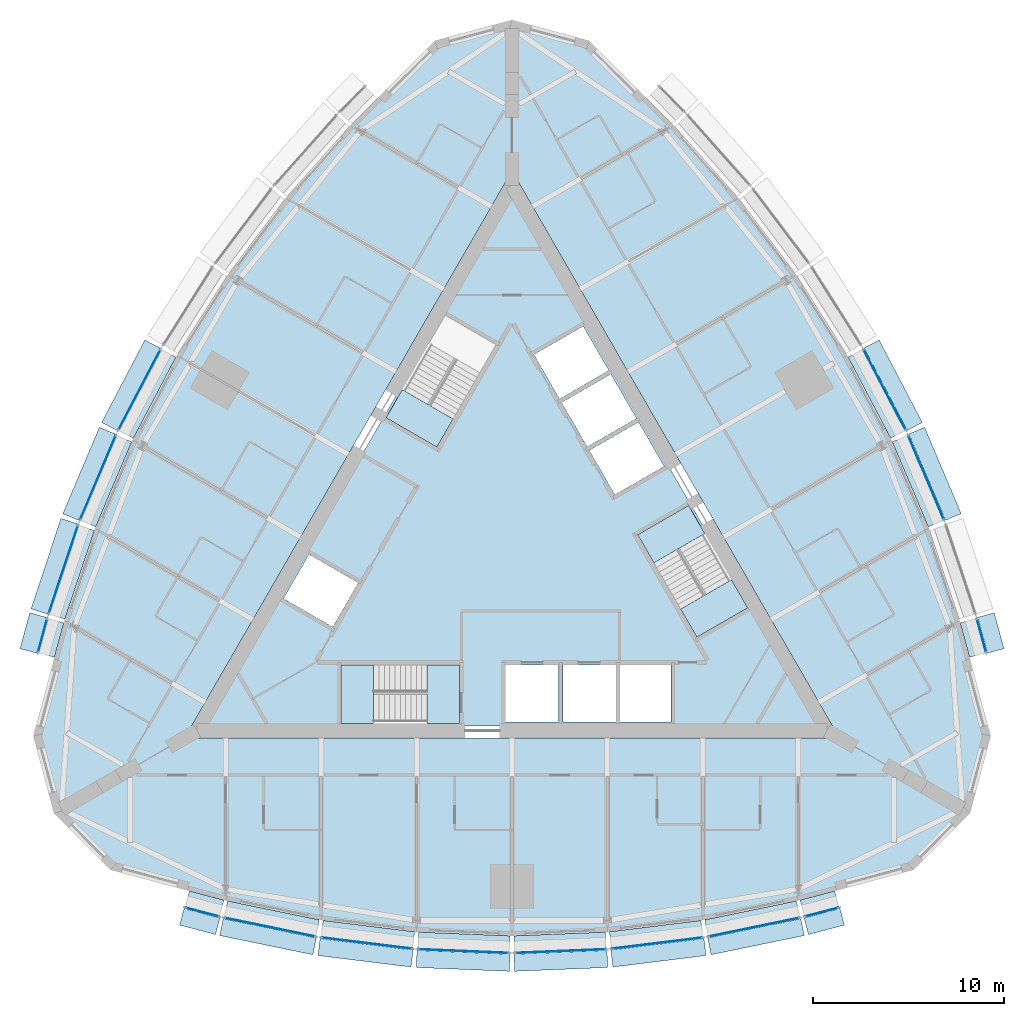
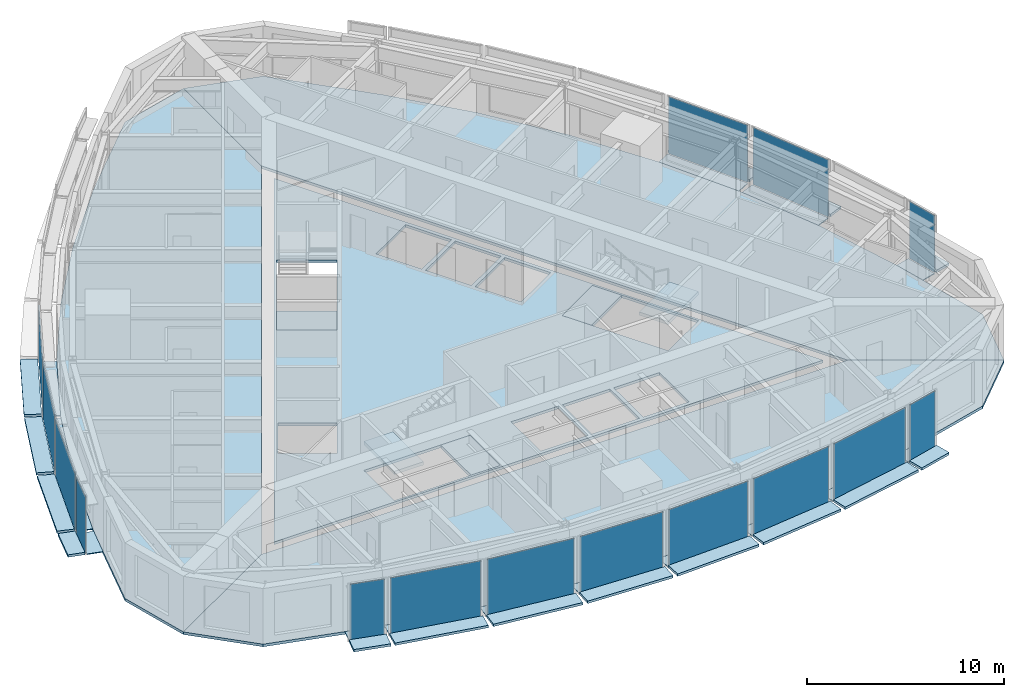
# One storey, part 7 of 15: 45 plates, 9 slabs, 18 elements without a shape of their own.
"""IFC4 building model written with IfcOpenShell, lengths in metres."""

from ifc_helpers import new_model, si_unit, direction, frame, origin, origin_2d, place, context, subcontext, project, spatial, polyline, rectangle, outline, extrude, material, layer, layer_set, type_object, element, aggregate, save


model = new_model("IFC4")

# Units and contexts
model_context = context("Model", 3, precision=1e-05, world=origin(), true_north=direction((0.0, 1.0)))
body_context = subcontext(model_context, "Body", "Model", "MODEL_VIEW")
ifc_project = project(units=[si_unit("LENGTHUNIT", "METRE"), si_unit("AREAUNIT", "SQUARE_METRE"), si_unit("VOLUMEUNIT", "CUBIC_METRE"), si_unit("PLANEANGLEUNIT", "RADIAN"), si_unit("MASSUNIT", "GRAM", prefix="KILO")], contexts=[model_context])

# Site, building, storey
site_placement = place(None, origin())
site = spatial("IfcSite", under=ifc_project, at=site_placement, CompositionType="ELEMENT")
building_placement = place(site_placement, origin())
building = spatial("IfcBuilding", under=site, at=building_placement, Name="Trikona Tower", CompositionType="ELEMENT")
storey_placement = place(building_placement, frame((0.0, 0.0, 215.300048828125)))
storey = spatial("IfcBuildingStorey", under=building, at=storey_placement, Name="L57", CompositionType="ELEMENT", Elevation=215.300048828125)

# Plates
ifc_material_1 = material(Name="Aluminium bar grating", Category="aluminium")
ifc_layer_1 = layer(ifc_material_1, 0.050048828125)
ifc_layer_set_1 = layer_set([ifc_layer_1], Name="Cavity catwalk grating")
plate_type_1 = type_object("IfcPlateType", Name="Cavity catwalk grating", PredefinedType="USERDEFINED", material=ifc_layer_set_1)
plate_1_placement = place(storey_placement, frame((-16.10693359375, -18.5673828125, -0.05029296875), z_axis=(0.0, 0.0, 1.0), x_axis=(0.966993038714, -0.254802792527, 0.0)))
element("IfcPlate", 1, at=plate_1_placement, inside=storey, type_object=plate_type_1, Name="Cavity catwalk L57-00", ObjectType="CATWALK GRATING", PredefinedType="USERDEFINED", context=body_context, shape_type="SweptSolid", body=[
    extrude(rectangle(XDim=1.868408203125, YDim=0.840087890625, at=origin_2d()), origin(), (0.0, 0.0, 1.0), 0.050048828125),
])
plate_2_placement = place(storey_placement, frame((-12.584716796875, -19.35107421875, -0.05029296875), z_axis=(0.0, 0.0, 1.0), x_axis=(0.979457514864, -0.201650629992, 0.0)))
element("IfcPlate", 2, at=plate_2_placement, inside=storey, type_object=plate_type_1, Name="Cavity catwalk L57-01", ObjectType="CATWALK GRATING", PredefinedType="USERDEFINED", context=body_context, shape_type="SweptSolid", body=[
    extrude(rectangle(XDim=4.90478515625, YDim=0.840087890625, at=origin_2d()), origin(), (0.0, 0.0, 1.0), 0.050048828125),
])
plate_3_placement = place(storey_placement, frame((-7.551513671875, -20.179931640625, -0.05029296875), z_axis=(0.0, 0.0, 1.0), x_axis=(0.992455266199, -0.122607277901, 0.0)))
element("IfcPlate", 3, at=plate_3_placement, inside=storey, type_object=plate_type_1, Name="Cavity catwalk L57-02", ObjectType="CATWALK GRATING", PredefinedType="USERDEFINED", context=body_context, shape_type="SweptSolid", body=[
    extrude(rectangle(XDim=4.837890625, YDim=0.840087890625, at=origin_2d()), origin(), (0.0, 0.0, 1.0), 0.050048828125),
])
for number, where, z_axis, x_axis, name in (
    (4, (-2.517333984375, -20.594482421875, -0.05029296875), (0.0, 0.0, 1.0), (0.999153186307, -0.041144991109, 0.0), "Cavity catwalk L57-03"),
    (5, (2.517333984375, -20.594482421875, -0.05029296875), (0.0, 0.0, 1.0), (0.999153186307, 0.041144991109, 0.0), "Cavity catwalk L57-04"),
):
    element("IfcPlate", number, at=place(storey_placement, frame(where, z_axis=z_axis, x_axis=x_axis)), inside=storey, type_object=plate_type_1, Name=name, ObjectType="CATWALK GRATING", PredefinedType="USERDEFINED", context=body_context, shape_type="SweptSolid", body=[
        extrude(rectangle(XDim=4.80419921875, YDim=0.840087890625, at=origin_2d()), origin(), (0.0, 0.0, 1.0), 0.050048828125),
    ])
plate_4_placement = place(storey_placement, frame((7.551513671875, -20.179931640625, -0.05029296875), z_axis=(0.0, 0.0, 1.0), x_axis=(0.992455266199, 0.122607277901, 0.0)))
element("IfcPlate", 6, at=plate_4_placement, inside=storey, type_object=plate_type_1, Name="Cavity catwalk L57-05", ObjectType="CATWALK GRATING", PredefinedType="USERDEFINED", context=body_context, shape_type="SweptSolid", body=[
    extrude(rectangle(XDim=4.837890625, YDim=0.840087890625, at=origin_2d()), origin(), (0.0, 0.0, 1.0), 0.050048828125),
])
plate_5_placement = place(storey_placement, frame((12.584716796875, -19.35107421875, -0.05029296875), z_axis=(0.0, 0.0, 1.0), x_axis=(0.979457514864, 0.201650629992, 0.0)))
element("IfcPlate", 7, at=plate_5_placement, inside=storey, type_object=plate_type_1, Name="Cavity catwalk L57-06", ObjectType="CATWALK GRATING", PredefinedType="USERDEFINED", context=body_context, shape_type="SweptSolid", body=[
    extrude(rectangle(XDim=4.90478515625, YDim=0.840087890625, at=origin_2d()), origin(), (0.0, 0.0, 1.0), 0.050048828125),
])
for number, where, z_axis, x_axis, name in (
    (8, (16.10693359375, -18.5673828125, -0.05029296875), (0.0, 0.0, 1.0), (0.966993038714, 0.254802792527, 0.0), "Cavity catwalk L57-07"),
    (9, (24.13330078125, -4.665283203125, -0.05029296875), (0.0, 0.0, 1.0), (-0.262822408229, 0.964844226667, 0.0), "Cavity catwalk L57-12"),
):
    element("IfcPlate", number, at=place(storey_placement, frame(where, z_axis=z_axis, x_axis=x_axis)), inside=storey, type_object=plate_type_1, Name=name, ObjectType="CATWALK GRATING", PredefinedType="USERDEFINED", context=body_context, shape_type="SweptSolid", body=[
        extrude(rectangle(XDim=1.868408203125, YDim=0.840087890625, at=origin_2d()), origin(), (0.0, 0.0, 1.0), 0.050048828125),
    ])
plate_6_placement = place(storey_placement, frame((21.252197265625, 3.55029296875, -0.05029296875), z_axis=(0.0, 0.0, 1.0), x_axis=(-0.390051437015, 0.920793069306, 0.0)))
element("IfcPlate", 10, at=plate_6_placement, inside=storey, type_object=plate_type_1, Name="Cavity catwalk L57-14", ObjectType="CATWALK GRATING", PredefinedType="USERDEFINED", context=body_context, shape_type="SweptSolid", body=[
    extrude(rectangle(XDim=4.837890625, YDim=0.840087890625, at=origin_2d()), origin(), (0.0, 0.0, 1.0), 0.050048828125),
])
for number, where, z_axis, x_axis, name in (
    (11, (19.093994140625, 8.1171875, -0.05029296875), (0.0, 0.0, 1.0), (-0.463951716224, 0.885860488459, 0.0), "Cavity catwalk L57-15"),
    (12, (-19.093994140625, 8.1171875, -0.05029296875), (0.0, 0.0, 1.0), (-0.463951716224, -0.885860488459, 0.0), "Cavity catwalk L57-28"),
):
    element("IfcPlate", number, at=place(storey_placement, frame(where, z_axis=z_axis, x_axis=x_axis)), inside=storey, type_object=plate_type_1, Name=name, ObjectType="CATWALK GRATING", PredefinedType="USERDEFINED", context=body_context, shape_type="SweptSolid", body=[
        extrude(rectangle(XDim=4.80419921875, YDim=0.840087890625, at=origin_2d()), origin(), (0.0, 0.0, 1.0), 0.050048828125),
    ])
plate_7_placement = place(storey_placement, frame((-21.252197265625, 3.55029296875, -0.05029296875), z_axis=(0.0, 0.0, 1.0), x_axis=(-0.390051437015, -0.920793069306, 0.0)))
element("IfcPlate", 13, at=plate_7_placement, inside=storey, type_object=plate_type_1, Name="Cavity catwalk L57-29", ObjectType="CATWALK GRATING", PredefinedType="USERDEFINED", context=body_context, shape_type="SweptSolid", body=[
    extrude(rectangle(XDim=4.837890625, YDim=0.840087890625, at=origin_2d()), origin(), (0.0, 0.0, 1.0), 0.050048828125),
])
plate_8_placement = place(storey_placement, frame((-23.05078125, -1.22314453125, -0.05029296875), z_axis=(0.0, 0.0, 1.0), x_axis=(-0.315092532747, -0.949060954737, 0.0)))
element("IfcPlate", 14, at=plate_8_placement, inside=storey, type_object=plate_type_1, Name="Cavity catwalk L57-30", ObjectType="CATWALK GRATING", PredefinedType="USERDEFINED", context=body_context, shape_type="SweptSolid", body=[
    extrude(rectangle(XDim=4.90478515625, YDim=0.840087890625, at=origin_2d()), origin(), (0.0, 0.0, 1.0), 0.050048828125),
])
plate_9_placement = place(storey_placement, frame((-24.13330078125, -4.665283203125, -0.05029296875), z_axis=(0.0, 0.0, 1.0), x_axis=(-0.262822408229, -0.964844226667, 0.0)))
element("IfcPlate", 15, at=plate_9_placement, inside=storey, type_object=plate_type_1, Name="Cavity catwalk L57-31", ObjectType="CATWALK GRATING", PredefinedType="USERDEFINED", context=body_context, shape_type="SweptSolid", body=[
    extrude(rectangle(XDim=1.868408203125, YDim=0.840087890625, at=origin_2d()), origin(), (0.0, 0.0, 1.0), 0.050048828125),
])

# Slabs
ifc_material_2 = material(Name="Concrete f'c 5000 psi lightweight on composite steel deck", Category="concrete")
ifc_layer_2 = layer(ifc_material_2, 0.1650390625)
ifc_layer_set_2 = layer_set([ifc_layer_2], Name="Composite floor slab 165")
slab_type_1 = type_object("IfcSlabType", Name="Composite floor slab 165", PredefinedType="FLOOR", material=ifc_layer_set_2)
slab_1_placement = place(storey_placement, frame((0.0, 0.0, -0.1650390625)))
element("IfcSlab", 16, at=slab_1_placement, inside=storey, type_object=slab_type_1, Name="Floor slab L57 core", PredefinedType="FLOOR", context=body_context, shape_type="SweptSolid", body=[
    extrude(outline(polyline([(-16.06689453125, -9.2763671875), (16.06689453125, -9.2763671875), (0.0, 18.552490234375), (-16.06689453125, -9.2763671875)]), holes=[polyline([(6.587158203125, 0.7431640625), (9.687255859375, -4.626220703125), (12.35009765625, -3.088623046875), (9.250244140625, 2.28076171875), (6.587158203125, 0.7431640625)]), polyline([(5.659912109375, -6.086181640625), (5.659912109375, -9.06640625), (8.340087890625, -9.06640625), (8.340087890625, -6.086181640625), (5.659912109375, -6.086181640625)]), polyline([(6.631591796875, 6.646240234375), (4.05078125, 5.15625), (5.390869140625, 2.835205078125), (7.9716796875, 4.3251953125), (6.631591796875, 6.646240234375)]), polyline([(6.521484375, 6.8369140625), (5.181640625, 9.15771484375), (2.600830078125, 7.667724609375), (3.94091796875, 5.3466796875), (6.521484375, 6.8369140625)]), polyline([(2.659912109375, -9.06640625), (5.43994140625, -9.06640625), (5.43994140625, -6.086181640625), (2.659912109375, -6.086181640625), (2.659912109375, -9.06640625)]), polyline([(2.490966796875, 7.858154296875), (5.071533203125, 9.34814453125), (3.731689453125, 11.669189453125), (1.15087890625, 10.17919921875), (2.490966796875, 7.858154296875)]), polyline([(2.43994140625, -9.06640625), (2.43994140625, -6.086181640625), (-0.340087890625, -6.086181640625), (-0.340087890625, -9.06640625), (2.43994140625, -9.06640625)]), polyline([(-3.937255859375, 5.3330078125), (-0.837158203125, 10.702392578125), (-3.500244140625, 12.239990234375), (-6.60009765625, 6.87060546875), (-3.937255859375, 5.3330078125)]), polyline([(-2.75, -6.076416015625), (-8.949951171875, -6.076416015625), (-8.949951171875, -9.1513671875), (-2.75, -9.1513671875), (-2.75, -6.076416015625)]), polyline([(-11.9716796875, -2.602783203125), (-9.390869140625, -4.093017578125), (-8.05078125, -1.77197265625), (-10.631591796875, -0.281982421875), (-11.9716796875, -2.602783203125)])]), origin(), (0.0, 0.0, 1.0), 0.1650390625),
])
slab_2_placement = place(storey_placement, frame((0.0, 0.0, -0.1650390625)))
element("IfcSlab", 17, at=slab_2_placement, inside=storey, type_object=slab_type_1, Name="Floor slab L57 south", PredefinedType="FLOOR", context=body_context, shape_type="SweptSolid", body=[
    extrude(outline(polyline([(21.04150390625, -16.81494140625), (24.0, -13.8564453125), (17.1494140625, -9.9013671875), (-17.1494140625, -9.9013671875), (-24.0, -13.8564453125), (-21.04150390625, -16.81494140625), (-17.0, -17.89794921875), (-15.0, -18.4248046875), (-10.0, -19.454345703125), (-5.0, -20.072021484375), (0.0, -20.27783203125), (5.0, -20.072021484375), (10.0, -19.454345703125), (15.0, -18.4248046875), (17.0, -17.89794921875), (21.04150390625, -16.81494140625)])), origin(), (0.0, 0.0, 1.0), 0.1650390625),
])
slab_3_placement = place(storey_placement, frame((0.0, 0.0, -0.1650390625)))
element("IfcSlab", 18, at=slab_3_placement, inside=storey, type_object=slab_type_1, Name="Floor slab L57 north-east", PredefinedType="FLOOR", context=body_context, shape_type="SweptSolid", body=[
    extrude(outline(polyline([(4.04150390625, 26.6298828125), (0.0, 27.712890625), (0.0, 19.802490234375), (17.1494140625, -9.9013671875), (24.0, -13.8564453125), (25.0830078125, -9.81494140625), (24.0, -5.7734375), (23.456298828125, -3.77783203125), (21.847900390625, 1.06689453125), (19.8828125, 5.705810546875), (17.56103515625, 10.138916015625), (14.8828125, 14.3662109375), (11.847900390625, 18.387451171875), (8.456298828125, 22.202880859375), (7.0, 23.67138671875), (4.04150390625, 26.6298828125)])), origin(), (0.0, 0.0, 1.0), 0.1650390625),
])
slab_4_placement = place(storey_placement, frame((0.0, 0.0, -0.1650390625)))
element("IfcSlab", 19, at=slab_4_placement, inside=storey, type_object=slab_type_1, Name="Floor slab L57 north-west", PredefinedType="FLOOR", context=body_context, shape_type="SweptSolid", body=[
    extrude(outline(polyline([(-7.0, 23.67138671875), (-8.456298828125, 22.202880859375), (-11.847900390625, 18.387451171875), (-14.8828125, 14.3662109375), (-17.56103515625, 10.138916015625), (-19.8828125, 5.705810546875), (-21.847900390625, 1.06689453125), (-23.456298828125, -3.77783203125), (-24.0, -5.7734375), (-25.0830078125, -9.81494140625), (-24.0, -13.8564453125), (-17.1494140625, -9.9013671875), (0.0, 19.802490234375), (0.0, 27.712890625), (-4.04150390625, 26.6298828125), (-7.0, 23.67138671875)])), origin(), (0.0, 0.0, 1.0), 0.1650390625),
])

# Curtain wall, plate
ifc_material_3 = material(Name="Aluminium curtain wall system", Category="aluminium")
curtain_wall_type = type_object("IfcCurtainWallType", Name="Curtain wall DS3", PredefinedType="NOTDEFINED", material=ifc_material_3)
curtain_wall_1_placement = place(storey_placement, origin())
curtain_wall_1 = element("IfcCurtainWall", 20, at=curtain_wall_1_placement, inside=storey, type_object=curtain_wall_type, Name="Curtain wall DS3 L57", PredefinedType="NOTDEFINED")
ifc_material_4 = material(Name="Laminated clear glass", Category="glass")
ifc_layer_3 = layer(ifc_material_4, 0.028076171875)
ifc_layer_set_3 = layer_set([ifc_layer_3], Name="Glass panel DS3")
plate_type_2 = type_object("IfcPlateType", Name="Glass panel DS3", PredefinedType="CURTAIN_PANEL", material=ifc_layer_set_3)
plate_10_placement = place(storey_placement, frame((-16.229248046875, -19.03173828125, 0.0), z_axis=(0.0, 0.0, 1.0), x_axis=(0.966997369647, -0.25478635579, 0.0)))
plate_10 = element("IfcPlate", 21, at=plate_10_placement, type_object=plate_type_2, Name="CW-DS3 panel 1.1", PredefinedType="CURTAIN_PANEL", context=body_context, shape_type="SweptSolid", body=[
    extrude(rectangle(XDim=1.808349609375, YDim=0.028076171875, at=origin_2d()), origin(), (0.0, 0.0, 1.0), 3.530029296875),
])
aggregate(curtain_wall_1, [plate_10])

curtain_wall_2_placement = place(storey_placement, origin())
curtain_wall_2 = element("IfcCurtainWall", 22, at=curtain_wall_2_placement, inside=storey, type_object=curtain_wall_type, Name="Curtain wall DS3 L57", PredefinedType="NOTDEFINED")
plate_11_placement = place(storey_placement, frame((-12.681396484375, -19.821044921875, 0.0), z_axis=(0.0, 0.0, 1.0), x_axis=(0.979457043256, -0.201652920672, 0.0)))
plate_11 = element("IfcPlate", 23, at=plate_11_placement, type_object=plate_type_2, Name="CW-DS3 panel 1.1", PredefinedType="CURTAIN_PANEL", context=body_context, shape_type="SweptSolid", body=[
    extrude(rectangle(XDim=4.8447265625, YDim=0.028076171875, at=origin_2d()), origin(), (0.0, 0.0, 1.0), 3.530029296875),
])
aggregate(curtain_wall_2, [plate_11])

curtain_wall_3_placement = place(storey_placement, origin())
curtain_wall_3 = element("IfcCurtainWall", 24, at=curtain_wall_3_placement, inside=storey, type_object=curtain_wall_type, Name="Curtain wall DS3 L57", PredefinedType="NOTDEFINED")
plate_12_placement = place(storey_placement, frame((-7.6103515625, -20.656494140625, 0.0), z_axis=(0.0, 0.0, 1.0), x_axis=(0.992454850785, -0.122610640458, 0.0)))
plate_12 = element("IfcPlate", 25, at=plate_12_placement, type_object=plate_type_2, Name="CW-DS3 panel 1.1", PredefinedType="CURTAIN_PANEL", context=body_context, shape_type="SweptSolid", body=[
    extrude(rectangle(XDim=4.778076171875, YDim=0.028076171875, at=origin_2d()), origin(), (0.0, 0.0, 1.0), 3.530029296875),
])
aggregate(curtain_wall_3, [plate_12])

curtain_wall_4_placement = place(storey_placement, origin())
curtain_wall_4 = element("IfcCurtainWall", 26, at=curtain_wall_4_placement, inside=storey, type_object=curtain_wall_type, Name="Curtain wall DS3 L57", PredefinedType="NOTDEFINED")
plate_13_placement = place(storey_placement, frame((-2.537109375, -21.07421875, 0.0), z_axis=(0.0, 0.0, 1.0), x_axis=(0.999152865157, -0.04115278907, 0.0)))
plate_13 = element("IfcPlate", 27, at=plate_13_placement, type_object=plate_type_2, Name="CW-DS3 panel 1.1", PredefinedType="CURTAIN_PANEL", context=body_context, shape_type="SweptSolid", body=[
    extrude(rectangle(XDim=4.744140625, YDim=0.028076171875, at=origin_2d()), origin(), (0.0, 0.0, 1.0), 3.530029296875),
])
aggregate(curtain_wall_4, [plate_13])

curtain_wall_5_placement = place(storey_placement, origin())
curtain_wall_5 = element("IfcCurtainWall", 28, at=curtain_wall_5_placement, inside=storey, type_object=curtain_wall_type, Name="Curtain wall DS3 L57", PredefinedType="NOTDEFINED")
plate_14_placement = place(storey_placement, frame((2.537109375, -21.07421875, 0.0), z_axis=(0.0, 0.0, 1.0), x_axis=(0.999152865157, 0.04115278907, 0.0)))
plate_14 = element("IfcPlate", 29, at=plate_14_placement, type_object=plate_type_2, Name="CW-DS3 panel 1.1", PredefinedType="CURTAIN_PANEL", context=body_context, shape_type="SweptSolid", body=[
    extrude(rectangle(XDim=4.744140625, YDim=0.028076171875, at=origin_2d()), origin(), (0.0, 0.0, 1.0), 3.530029296875),
])
aggregate(curtain_wall_5, [plate_14])

curtain_wall_6_placement = place(storey_placement, origin())
curtain_wall_6 = element("IfcCurtainWall", 30, at=curtain_wall_6_placement, inside=storey, type_object=curtain_wall_type, Name="Curtain wall DS3 L57", PredefinedType="NOTDEFINED")
plate_15_placement = place(storey_placement, frame((7.6103515625, -20.656494140625, 0.0), z_axis=(0.0, 0.0, 1.0), x_axis=(0.992454850785, 0.122610640458, 0.0)))
plate_15 = element("IfcPlate", 31, at=plate_15_placement, type_object=plate_type_2, Name="CW-DS3 panel 1.1", PredefinedType="CURTAIN_PANEL", context=body_context, shape_type="SweptSolid", body=[
    extrude(rectangle(XDim=4.778076171875, YDim=0.028076171875, at=origin_2d()), origin(), (0.0, 0.0, 1.0), 3.530029296875),
])
aggregate(curtain_wall_6, [plate_15])

curtain_wall_7_placement = place(storey_placement, origin())
curtain_wall_7 = element("IfcCurtainWall", 32, at=curtain_wall_7_placement, inside=storey, type_object=curtain_wall_type, Name="Curtain wall DS3 L57", PredefinedType="NOTDEFINED")
plate_16_placement = place(storey_placement, frame((12.681396484375, -19.821044921875, 0.0), z_axis=(0.0, 0.0, 1.0), x_axis=(0.979457043256, 0.201652920672, 0.0)))
plate_16 = element("IfcPlate", 33, at=plate_16_placement, type_object=plate_type_2, Name="CW-DS3 panel 1.1", PredefinedType="CURTAIN_PANEL", context=body_context, shape_type="SweptSolid", body=[
    extrude(rectangle(XDim=4.8447265625, YDim=0.028076171875, at=origin_2d()), origin(), (0.0, 0.0, 1.0), 3.530029296875),
])
aggregate(curtain_wall_7, [plate_16])

curtain_wall_8_placement = place(storey_placement, origin())
curtain_wall_8 = element("IfcCurtainWall", 34, at=curtain_wall_8_placement, inside=storey, type_object=curtain_wall_type, Name="Curtain wall DS3 L57", PredefinedType="NOTDEFINED")
plate_17_placement = place(storey_placement, frame((16.229248046875, -19.03173828125, 0.0), z_axis=(0.0, 0.0, 1.0), x_axis=(0.966997369647, 0.25478635579, 0.0)))
plate_17 = element("IfcPlate", 35, at=plate_17_placement, type_object=plate_type_2, Name="CW-DS3 panel 1.1", PredefinedType="CURTAIN_PANEL", context=body_context, shape_type="SweptSolid", body=[
    extrude(rectangle(XDim=1.808349609375, YDim=0.028076171875, at=origin_2d()), origin(), (0.0, 0.0, 1.0), 3.530029296875),
])
aggregate(curtain_wall_8, [plate_17])

curtain_wall_9_placement = place(storey_placement, origin())
curtain_wall_9 = element("IfcCurtainWall", 36, at=curtain_wall_9_placement, inside=storey, type_object=curtain_wall_type, Name="Curtain wall DS3 L57", PredefinedType="NOTDEFINED")
plate_18_placement = place(storey_placement, frame((24.596435546875, -4.539306640625, 0.0), z_axis=(0.0, 0.0, 1.0), x_axis=(-0.262843784676, 0.964838403494, 0.0)))
plate_18 = element("IfcPlate", 37, at=plate_18_placement, type_object=plate_type_2, Name="CW-DS3 panel 1.1", PredefinedType="CURTAIN_PANEL", context=body_context, shape_type="SweptSolid", body=[
    extrude(rectangle(XDim=1.808349609375, YDim=0.028076171875, at=origin_2d()), origin(), (0.0, 0.0, 1.0), 3.530029296875),
])
aggregate(curtain_wall_9, [plate_18])

curtain_wall_10_placement = place(storey_placement, origin())
curtain_wall_10 = element("IfcCurtainWall", 38, at=curtain_wall_10_placement, inside=storey, type_object=curtain_wall_type, Name="Curtain wall DS3 L57", PredefinedType="NOTDEFINED")
plate_19_placement = place(storey_placement, frame((21.694091796875, 3.737548828125, 0.0), z_axis=(0.0, 0.0, 1.0), x_axis=(-0.390053199266, 0.920792322808, 0.0)))
plate_19 = element("IfcPlate", 39, at=plate_19_placement, type_object=plate_type_2, Name="CW-DS3 panel 1.1", PredefinedType="CURTAIN_PANEL", context=body_context, shape_type="SweptSolid", body=[
    extrude(rectangle(XDim=4.778076171875, YDim=0.028076171875, at=origin_2d()), origin(), (0.0, 0.0, 1.0), 3.530029296875),
])
aggregate(curtain_wall_10, [plate_19])

curtain_wall_11_placement = place(storey_placement, origin())
curtain_wall_11 = element("IfcCurtainWall", 40, at=curtain_wall_11_placement, inside=storey, type_object=curtain_wall_type, Name="Curtain wall DS3 L57", PredefinedType="NOTDEFINED")
plate_20_placement = place(storey_placement, frame((19.519287109375, 8.33984375, 0.0), z_axis=(0.0, 0.0, 1.0), x_axis=(-0.463948084434, 0.885862390527, 0.0)))
plate_20 = element("IfcPlate", 41, at=plate_20_placement, type_object=plate_type_2, Name="CW-DS3 panel 1.1", PredefinedType="CURTAIN_PANEL", context=body_context, shape_type="SweptSolid", body=[
    extrude(rectangle(XDim=4.744140625, YDim=0.028076171875, at=origin_2d()), origin(), (0.0, 0.0, 1.0), 3.530029296875),
])
aggregate(curtain_wall_11, [plate_20])

curtain_wall_12_placement = place(storey_placement, origin())
curtain_wall_12 = element("IfcCurtainWall", 42, at=curtain_wall_12_placement, inside=storey, type_object=curtain_wall_type, Name="Curtain wall DS3 L57", PredefinedType="NOTDEFINED")
plate_21_placement = place(storey_placement, frame((-19.519287109375, 8.33984375, 0.0), z_axis=(0.0, 0.0, 1.0), x_axis=(-0.463948084434, -0.885862390527, 0.0)))
plate_21 = element("IfcPlate", 43, at=plate_21_placement, type_object=plate_type_2, Name="CW-DS3 panel 1.1", PredefinedType="CURTAIN_PANEL", context=body_context, shape_type="SweptSolid", body=[
    extrude(rectangle(XDim=4.744140625, YDim=0.028076171875, at=origin_2d()), origin(), (0.0, 0.0, 1.0), 3.530029296875),
])
aggregate(curtain_wall_12, [plate_21])

curtain_wall_13_placement = place(storey_placement, origin())
curtain_wall_13 = element("IfcCurtainWall", 44, at=curtain_wall_13_placement, inside=storey, type_object=curtain_wall_type, Name="Curtain wall DS3 L57", PredefinedType="NOTDEFINED")
plate_22_placement = place(storey_placement, frame((-21.694091796875, 3.737548828125, 0.0), z_axis=(0.0, 0.0, 1.0), x_axis=(-0.390053199266, -0.920792322808, 0.0)))
plate_22 = element("IfcPlate", 45, at=plate_22_placement, type_object=plate_type_2, Name="CW-DS3 panel 1.1", PredefinedType="CURTAIN_PANEL", context=body_context, shape_type="SweptSolid", body=[
    extrude(rectangle(XDim=4.778076171875, YDim=0.028076171875, at=origin_2d()), origin(), (0.0, 0.0, 1.0), 3.530029296875),
])
aggregate(curtain_wall_13, [plate_22])

curtain_wall_14_placement = place(storey_placement, origin())
curtain_wall_14 = element("IfcCurtainWall", 46, at=curtain_wall_14_placement, inside=storey, type_object=curtain_wall_type, Name="Curtain wall DS3 L57", PredefinedType="NOTDEFINED")
plate_23_placement = place(storey_placement, frame((-23.50634765625, -1.072021484375, 0.0), z_axis=(0.0, 0.0, 1.0), x_axis=(-0.315078038687, -0.949065766708, 0.0)))
plate_23 = element("IfcPlate", 47, at=plate_23_placement, type_object=plate_type_2, Name="CW-DS3 panel 1.1", PredefinedType="CURTAIN_PANEL", context=body_context, shape_type="SweptSolid", body=[
    extrude(rectangle(XDim=4.8447265625, YDim=0.028076171875, at=origin_2d()), origin(), (0.0, 0.0, 1.0), 3.530029296875),
])
aggregate(curtain_wall_14, [plate_23])

curtain_wall_15_placement = place(storey_placement, origin())
curtain_wall_15 = element("IfcCurtainWall", 48, at=curtain_wall_15_placement, inside=storey, type_object=curtain_wall_type, Name="Curtain wall DS3 L57", PredefinedType="NOTDEFINED")
plate_24_placement = place(storey_placement, frame((-24.596435546875, -4.539306640625, 0.0), z_axis=(0.0, 0.0, 1.0), x_axis=(-0.262843784676, -0.964838403494, 0.0)))
plate_24 = element("IfcPlate", 49, at=plate_24_placement, type_object=plate_type_2, Name="CW-DS3 panel 1.1", PredefinedType="CURTAIN_PANEL", context=body_context, shape_type="SweptSolid", body=[
    extrude(rectangle(XDim=1.808349609375, YDim=0.028076171875, at=origin_2d()), origin(), (0.0, 0.0, 1.0), 3.530029296875),
])
aggregate(curtain_wall_15, [plate_24])

# Plates
ifc_material_5 = material(Name="Aluminium plate fin, pale anodised, on stainless steel outriggers", Category="steel")
ifc_layer_4 = layer(ifc_material_5, 0.14990234375)
ifc_layer_set_4 = layer_set([ifc_layer_4], Name="Outer skin fin 900")
plate_type_3 = type_object("IfcPlateType", Name="Outer skin fin 900", PredefinedType="USERDEFINED", material=ifc_layer_set_4)
plate_25_placement = place(storey_placement, frame((-16.359375, -19.52490234375, 0.0), z_axis=(0.0, 0.0, 1.0), x_axis=(0.966993038714, -0.254802792527, 0.0)))
element("IfcPlate", 50, at=plate_25_placement, inside=storey, type_object=plate_type_3, Name="Outer skin fin L57-00", ObjectType="FIN", PredefinedType="USERDEFINED", context=body_context, shape_type="SweptSolid", body=[
    extrude(rectangle(XDim=1.9482421875, YDim=0.89990234375, at=origin_2d()), origin(), (0.0, 0.0, 1.0), 0.14990234375),
])
plate_26_placement = place(storey_placement, frame((-12.7841796875, -20.320556640625, 0.0), z_axis=(0.0, 0.0, 1.0), x_axis=(0.979457514864, -0.201650629992, 0.0)))
element("IfcPlate", 51, at=plate_26_placement, inside=storey, type_object=plate_type_3, Name="Outer skin fin L57-01", ObjectType="FIN", PredefinedType="USERDEFINED", context=body_context, shape_type="SweptSolid", body=[
    extrude(rectangle(XDim=4.98486328125, YDim=0.89990234375, at=origin_2d()), origin(), (0.0, 0.0, 1.0), 0.14990234375),
])
plate_27_placement = place(storey_placement, frame((-7.6728515625, -21.16259765625, 0.0), z_axis=(0.0, 0.0, 1.0), x_axis=(0.992455266199, -0.122607277901, 0.0)))
element("IfcPlate", 52, at=plate_27_placement, inside=storey, type_object=plate_type_3, Name="Outer skin fin L57-02", ObjectType="FIN", PredefinedType="USERDEFINED", context=body_context, shape_type="SweptSolid", body=[
    extrude(rectangle(XDim=4.91796875, YDim=0.89990234375, at=origin_2d()), origin(), (0.0, 0.0, 1.0), 0.14990234375),
])
for number, where, z_axis, x_axis, name in (
    (53, (-2.55810546875, -21.583740234375, 0.0), (0.0, 0.0, 1.0), (0.999153186307, -0.041144991109, 0.0), "Outer skin fin L57-03"),
    (54, (2.55810546875, -21.583740234375, 0.0), (0.0, 0.0, 1.0), (0.999153186307, 0.041144991109, 0.0), "Outer skin fin L57-04"),
):
    element("IfcPlate", number, at=place(storey_placement, frame(where, z_axis=z_axis, x_axis=x_axis)), inside=storey, type_object=plate_type_3, Name=name, ObjectType="FIN", PredefinedType="USERDEFINED", context=body_context, shape_type="SweptSolid", body=[
        extrude(rectangle(XDim=4.88427734375, YDim=0.89990234375, at=origin_2d()), origin(), (0.0, 0.0, 1.0), 0.14990234375),
    ])
plate_28_placement = place(storey_placement, frame((7.6728515625, -21.16259765625, 0.0), z_axis=(0.0, 0.0, 1.0), x_axis=(0.992455266199, 0.122607277901, 0.0)))
element("IfcPlate", 55, at=plate_28_placement, inside=storey, type_object=plate_type_3, Name="Outer skin fin L57-05", ObjectType="FIN", PredefinedType="USERDEFINED", context=body_context, shape_type="SweptSolid", body=[
    extrude(rectangle(XDim=4.91796875, YDim=0.89990234375, at=origin_2d()), origin(), (0.0, 0.0, 1.0), 0.14990234375),
])
plate_29_placement = place(storey_placement, frame((12.7841796875, -20.320556640625, 0.0), z_axis=(0.0, 0.0, 1.0), x_axis=(0.979457514864, 0.201650629992, 0.0)))
element("IfcPlate", 56, at=plate_29_placement, inside=storey, type_object=plate_type_3, Name="Outer skin fin L57-06", ObjectType="FIN", PredefinedType="USERDEFINED", context=body_context, shape_type="SweptSolid", body=[
    extrude(rectangle(XDim=4.98486328125, YDim=0.89990234375, at=origin_2d()), origin(), (0.0, 0.0, 1.0), 0.14990234375),
])
for number, where, z_axis, x_axis, name in (
    (57, (16.359375, -19.52490234375, 0.0), (0.0, 0.0, 1.0), (0.966993038714, 0.254802792527, 0.0), "Outer skin fin L57-07"),
    (58, (25.088623046875, -4.405029296875, 0.0), (0.0, 0.0, 1.0), (-0.262822408229, 0.964844226667, 0.0), "Outer skin fin L57-12"),
):
    element("IfcPlate", number, at=place(storey_placement, frame(where, z_axis=z_axis, x_axis=x_axis)), inside=storey, type_object=plate_type_3, Name=name, ObjectType="FIN", PredefinedType="USERDEFINED", context=body_context, shape_type="SweptSolid", body=[
        extrude(rectangle(XDim=1.9482421875, YDim=0.89990234375, at=origin_2d()), origin(), (0.0, 0.0, 1.0), 0.14990234375),
    ])
plate_30_placement = place(storey_placement, frame((22.163818359375, 3.936279296875, 0.0), z_axis=(0.0, 0.0, 1.0), x_axis=(-0.390051437015, 0.920793069306, 0.0)))
element("IfcPlate", 59, at=plate_30_placement, inside=storey, type_object=plate_type_3, Name="Outer skin fin L57-14", ObjectType="FIN", PredefinedType="USERDEFINED", context=body_context, shape_type="SweptSolid", body=[
    extrude(rectangle(XDim=4.91796875, YDim=0.89990234375, at=origin_2d()), origin(), (0.0, 0.0, 1.0), 0.14990234375),
])
for number, where, z_axis, x_axis, name in (
    (60, (19.970947265625, 8.57666015625, 0.0), (0.0, 0.0, 1.0), (-0.463951716224, 0.885860488459, 0.0), "Outer skin fin L57-15"),
    (61, (-19.970947265625, 8.57666015625, 0.0), (0.0, 0.0, 1.0), (-0.463951716224, -0.885860488459, 0.0), "Outer skin fin L57-28"),
):
    element("IfcPlate", number, at=place(storey_placement, frame(where, z_axis=z_axis, x_axis=x_axis)), inside=storey, type_object=plate_type_3, Name=name, ObjectType="FIN", PredefinedType="USERDEFINED", context=body_context, shape_type="SweptSolid", body=[
        extrude(rectangle(XDim=4.88427734375, YDim=0.89990234375, at=origin_2d()), origin(), (0.0, 0.0, 1.0), 0.14990234375),
    ])
plate_31_placement = place(storey_placement, frame((-22.163818359375, 3.936279296875, 0.0), z_axis=(0.0, 0.0, 1.0), x_axis=(-0.390051437015, -0.920793069306, 0.0)))
element("IfcPlate", 62, at=plate_31_placement, inside=storey, type_object=plate_type_3, Name="Outer skin fin L57-29", ObjectType="FIN", PredefinedType="USERDEFINED", context=body_context, shape_type="SweptSolid", body=[
    extrude(rectangle(XDim=4.91796875, YDim=0.89990234375, at=origin_2d()), origin(), (0.0, 0.0, 1.0), 0.14990234375),
])
plate_32_placement = place(storey_placement, frame((-23.990234375, -0.9111328125, 0.0), z_axis=(0.0, 0.0, 1.0), x_axis=(-0.315092532747, -0.949060954737, 0.0)))
element("IfcPlate", 63, at=plate_32_placement, inside=storey, type_object=plate_type_3, Name="Outer skin fin L57-30", ObjectType="FIN", PredefinedType="USERDEFINED", context=body_context, shape_type="SweptSolid", body=[
    extrude(rectangle(XDim=4.98486328125, YDim=0.89990234375, at=origin_2d()), origin(), (0.0, 0.0, 1.0), 0.14990234375),
])
plate_33_placement = place(storey_placement, frame((-25.088623046875, -4.405029296875, 0.0), z_axis=(0.0, 0.0, 1.0), x_axis=(-0.262822408229, -0.964844226667, 0.0)))
element("IfcPlate", 64, at=plate_33_placement, inside=storey, type_object=plate_type_3, Name="Outer skin fin L57-31", ObjectType="FIN", PredefinedType="USERDEFINED", context=body_context, shape_type="SweptSolid", body=[
    extrude(rectangle(XDim=1.9482421875, YDim=0.89990234375, at=origin_2d()), origin(), (0.0, 0.0, 1.0), 0.14990234375),
])

# Stair, slabs
ifc_material_6 = material(Name="Concrete f'c 5000 psi", Category="concrete")
stair_type = type_object("IfcStairType", Name="Core stair", PredefinedType="HALF_TURN_STAIR", material=ifc_material_6)
stair_1_placement = place(storey_placement, origin())
stair_1 = element("IfcStair", 65, at=stair_1_placement, inside=storey, type_object=stair_type, Name="Stair A L57", PredefinedType="HALF_TURN_STAIR")
ifc_material_7 = material(Name="Concrete f'c 5000 psi", Category="concrete")
ifc_layer_5 = layer(ifc_material_7, 0.199951171875)
ifc_layer_set_5 = layer_set([ifc_layer_5], Name="Stair landing 200")
slab_type_2 = type_object("IfcSlabType", Name="Stair landing 200", PredefinedType="LANDING", material=ifc_layer_set_5)
slab_5_placement = place(storey_placement, frame((0.0, 0.0, -0.199951171875)))
slab_5 = element("IfcSlab", 66, at=slab_5_placement, type_object=slab_type_2, Name="ST-A landing 1", PredefinedType="LANDING", context=body_context, shape_type="SweptSolid", body=[
    extrude(outline(polyline([(-4.452880859375, -6.076416015625), (-2.75, -6.076416015625), (-2.75, -9.1513671875), (-4.452880859375, -9.1513671875), (-4.452880859375, -6.076416015625)])), origin(), (0.0, 0.0, 1.0), 0.199951171875),
])
slab_6_placement = place(storey_placement, frame((0.0, 0.0, 1.599853515625)))
slab_6 = element("IfcSlab", 67, at=slab_6_placement, type_object=slab_type_2, Name="ST-A landing 2", PredefinedType="LANDING", context=body_context, shape_type="SweptSolid", body=[
    extrude(outline(polyline([(-8.949951171875, -6.076416015625), (-7.2470703125, -6.076416015625), (-7.2470703125, -9.1513671875), (-8.949951171875, -9.1513671875), (-8.949951171875, -6.076416015625)])), origin(), (0.0, 0.0, 1.0), 0.2001953125),
])
aggregate(stair_1, [slab_5, slab_6])

stair_2_placement = place(storey_placement, origin())
stair_2 = element("IfcStair", 68, at=stair_2_placement, inside=storey, type_object=stair_type, Name="Stair B L57", PredefinedType="HALF_TURN_STAIR")
slab_7_placement = place(storey_placement, frame((0.0, 0.0, -0.199951171875)))
slab_7 = element("IfcSlab", 69, at=slab_7_placement, type_object=slab_type_2, Name="ST-B landing 1", PredefinedType="LANDING", context=body_context, shape_type="SweptSolid", body=[
    extrude(outline(polyline([(7.438720703125, -0.731689453125), (6.587158203125, 0.7431640625), (9.250244140625, 2.28076171875), (10.101806640625, 0.805908203125), (7.438720703125, -0.731689453125)])), origin(), (0.0, 0.0, 1.0), 0.199951171875),
])
slab_8_placement = place(storey_placement, frame((0.0, 0.0, 1.599853515625)))
slab_8 = element("IfcSlab", 70, at=slab_8_placement, type_object=slab_type_2, Name="ST-B landing 2", PredefinedType="LANDING", context=body_context, shape_type="SweptSolid", body=[
    extrude(outline(polyline([(9.687255859375, -4.626220703125), (8.835693359375, -3.1513671875), (11.498779296875, -1.61376953125), (12.35009765625, -3.088623046875), (9.687255859375, -4.626220703125)])), origin(), (0.0, 0.0, 1.0), 0.2001953125),
])
aggregate(stair_2, [slab_7, slab_8])

# Stair, slab
stair_3_placement = place(storey_placement, origin())
stair_3 = element("IfcStair", 71, at=stair_3_placement, inside=storey, type_object=stair_type, Name="Stair C L57", PredefinedType="HALF_TURN_STAIR")
slab_9_placement = place(storey_placement, frame((0.0, 0.0, -0.199951171875)))
slab_9 = element("IfcSlab", 72, at=slab_9_placement, type_object=slab_type_2, Name="ST-C landing 1", PredefinedType="LANDING", context=body_context, shape_type="SweptSolid", body=[
    extrude(outline(polyline([(-3.085693359375, 6.807861328125), (-3.937255859375, 5.3330078125), (-6.60009765625, 6.87060546875), (-5.748779296875, 8.345458984375), (-3.085693359375, 6.807861328125)])), origin(), (0.0, 0.0, 1.0), 0.199951171875),
])
aggregate(stair_3, [slab_9])

save(model, "model.ifc")
